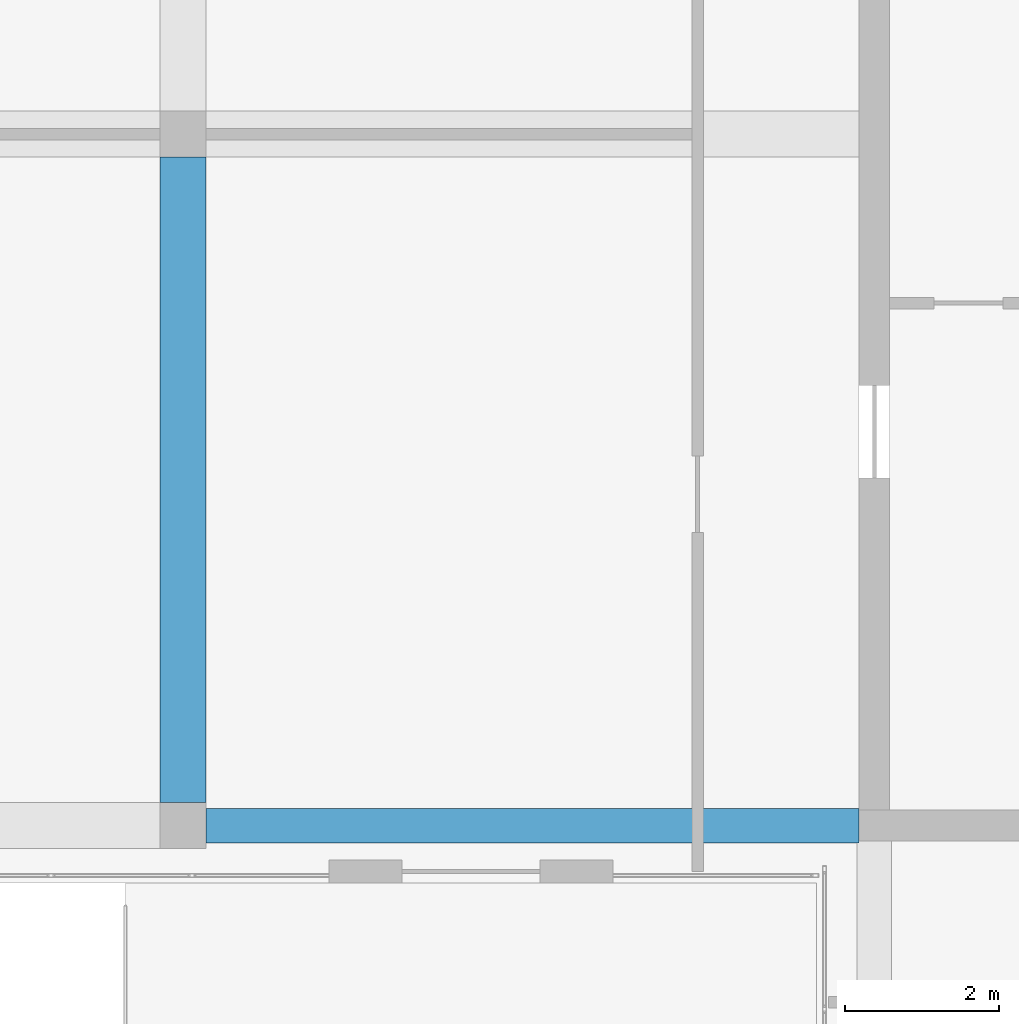
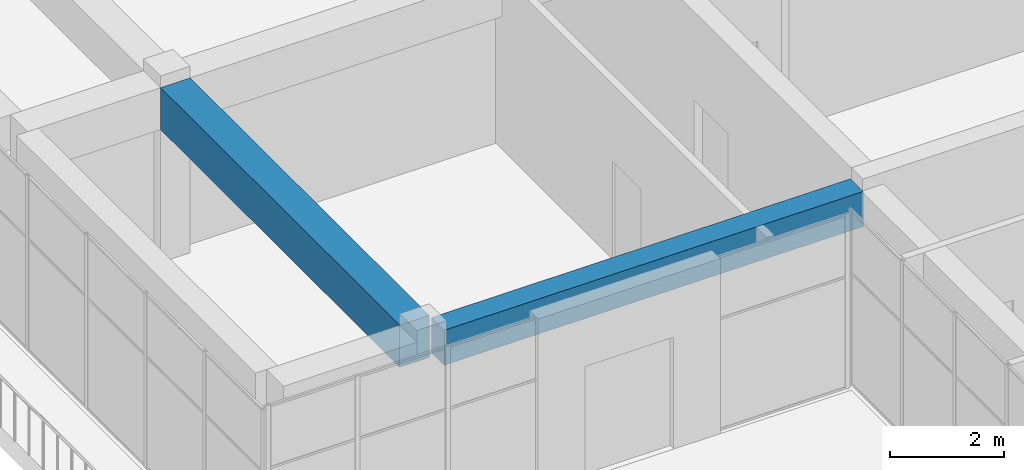
# One storey, part 2 of 32: 2 beams.
"""IFC4 building model written with IfcOpenShell, lengths in metres."""

from ifc_helpers import new_model, si_unit, direction, frame, origin, origin_2d, place, context, subcontext, project, spatial, rectangle, extrude, material, material_profile, profile_set, type_object, element, save


model = new_model("IFC4")

# Units and contexts
model_context = context("Model", 3, precision=1e-05, world=origin(), true_north=direction((0.0, 1.0)))
body_context = subcontext(model_context, "Body", "Model", "MODEL_VIEW")
ifc_project = project(units=[si_unit("LENGTHUNIT", "METRE"), si_unit("AREAUNIT", "SQUARE_METRE"), si_unit("VOLUMEUNIT", "CUBIC_METRE"), si_unit("PLANEANGLEUNIT", "RADIAN"), si_unit("MASSUNIT", "GRAM", prefix="KILO")], contexts=[model_context])

# Site, building, storey
site_placement = place(None, origin())
site = spatial("IfcSite", under=ifc_project, at=site_placement, CompositionType="ELEMENT")
building_placement = place(site_placement, origin())
building = spatial("IfcBuilding", under=site, at=building_placement, Name="Tuart Plaza Theatre", CompositionType="ELEMENT")
storey_placement = place(building_placement, frame((0.0, 0.0, 41.5)))
storey = spatial("IfcBuildingStorey", under=building, at=storey_placement, Name="L10", CompositionType="ELEMENT", Elevation=41.5)

# Beams
ifc_material_1 = material(Name="Concrete N40 (40 MPa)", Category="concrete")
ifc_material_profile_1 = material_profile(ifc_material_1, rectangle(XDim=0.449951171875, YDim=0.75, at=origin_2d()), Name="BEAM 450x750 Concrete N40 (40 MPa)")
ifc_profile_set_1 = profile_set([ifc_material_profile_1], Name="Concrete N40 (40 MPa)")
beam_type_1 = type_object("IfcBeamType", Name="BEAM 450x750 Concrete N40 (40 MPa)", PredefinedType="BEAM", material=ifc_profile_set_1)
beam_1_placement = place(storey_placement, frame((114.300048828125, 65.0, 3.375), z_axis=(1.0, 0.0, 0.0), x_axis=(0.0, 1.0, 0.0)))
element("IfcBeam", 1, at=beam_1_placement, inside=storey, type_object=beam_type_1, Name="RB290", PredefinedType="BEAM", context=body_context, shape_type="SweptSolid", body=[
    extrude(rectangle(XDim=0.449951171875, YDim=0.75, at=origin_2d()), origin(), (0.0, 0.0, 1.0), 8.5),
])
ifc_material_2 = material(Name="Concrete N40 (40 MPa)", Category="concrete")
ifc_material_profile_2 = material_profile(ifc_material_2, rectangle(XDim=0.60009765625, YDim=0.89990234375, at=origin_2d()), Name="BEAM 600x900 Concrete N40 (40 MPa)")
ifc_profile_set_2 = profile_set([ifc_material_profile_2], Name="Concrete N40 (40 MPa)")
beam_type_2 = type_object("IfcBeamType", Name="BEAM 600x900 Concrete N40 (40 MPa)", PredefinedType="BEAM", material=ifc_profile_set_2)
beam_2_placement = place(storey_placement, frame((114.0, 65.300048828125, 3.300048828125), z_axis=(0.0, 1.0, 0.0), x_axis=(-1.0, 0.0, 0.0)))
element("IfcBeam", 2, at=beam_2_placement, inside=storey, type_object=beam_type_2, Name="RB289", PredefinedType="BEAM", context=body_context, shape_type="SweptSolid", body=[
    extrude(rectangle(XDim=0.60009765625, YDim=0.89990234375, at=origin_2d()), origin(), (0.0, 0.0, 1.0), 8.39990234375),
])

save(model, "model.ifc")
